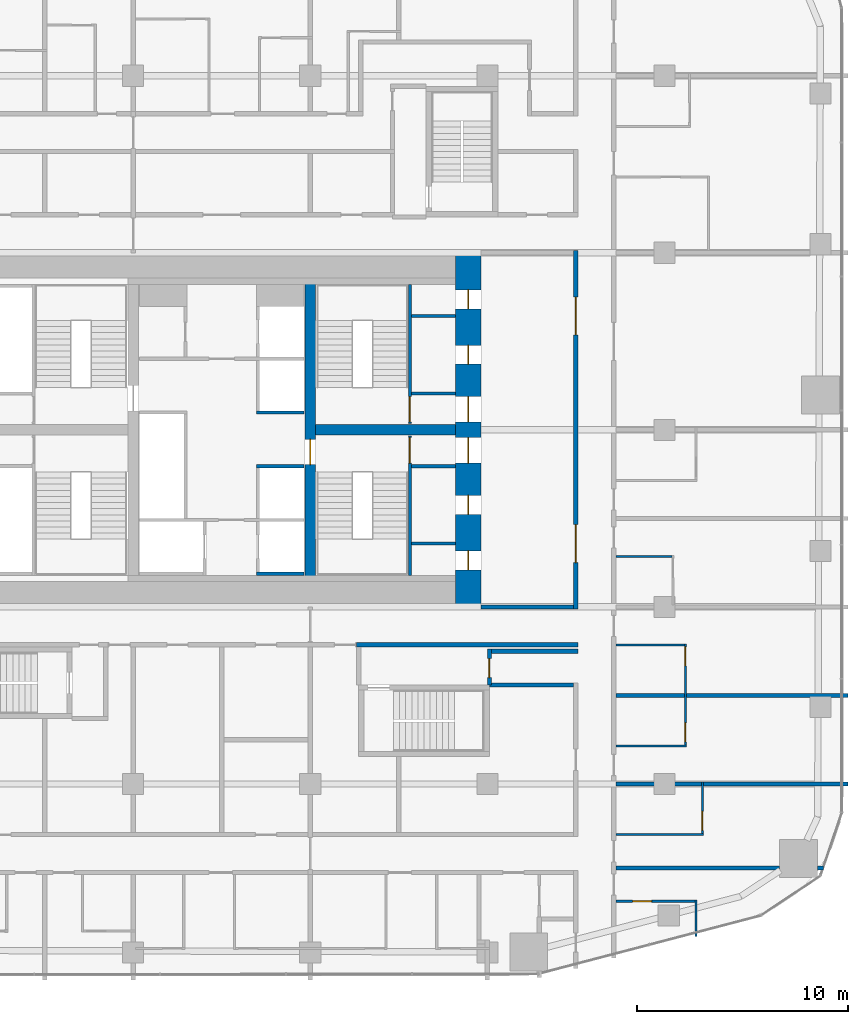
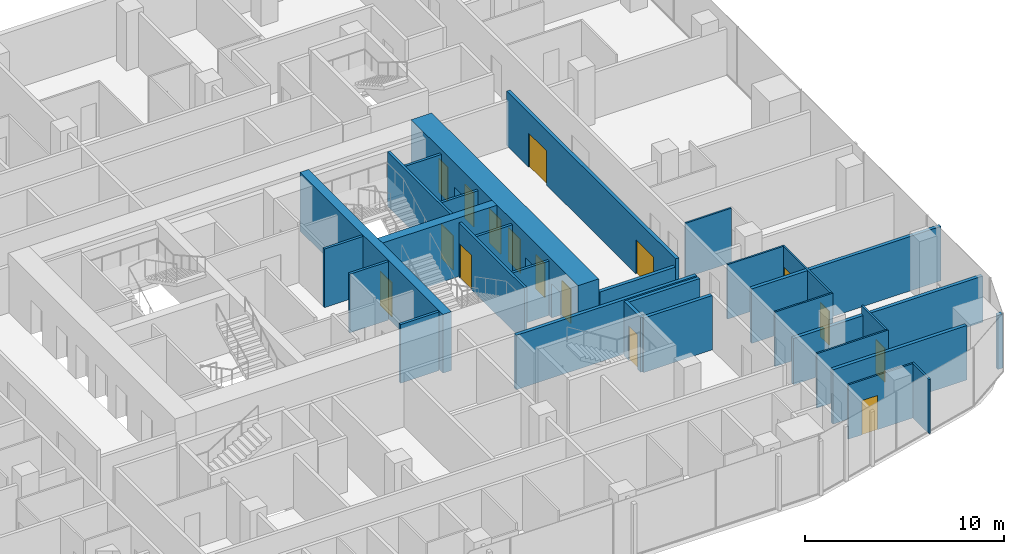
# One storey, part 20 of 26: 30 walls, 16 doors, 16 openings.
"""IFC4 building model written with IfcOpenShell, lengths in metres."""

from ifc_helpers import new_model, si_unit, direction, frame, frame_2d, origin, place, context, subcontext, project, spatial, rectangle, extrude, material, layer, layer_set, type_object, element, fill, save


model = new_model("IFC4")

# Units and contexts
model_context = context("Model", 3, precision=1e-05, world=origin(), true_north=direction((0.0, 1.0)))
body_context = subcontext(model_context, "Body", "Model", "MODEL_VIEW")
ifc_project = project(units=[si_unit("LENGTHUNIT", "METRE"), si_unit("AREAUNIT", "SQUARE_METRE"), si_unit("VOLUMEUNIT", "CUBIC_METRE"), si_unit("PLANEANGLEUNIT", "RADIAN"), si_unit("MASSUNIT", "GRAM", prefix="KILO")], contexts=[model_context])

# Site, building, storey
site_placement = place(None, origin())
site = spatial("IfcSite", under=ifc_project, at=site_placement, CompositionType="ELEMENT")
building_placement = place(site_placement, origin())
building = spatial("IfcBuilding", under=site, at=building_placement, Name="Marenta Gate Hotel Tower", CompositionType="ELEMENT")
storey_placement = place(building_placement, frame((0.0, 0.0, 58.10009765625)))
storey = spatial("IfcBuildingStorey", under=building, at=storey_placement, Name="L12", CompositionType="ELEMENT", Elevation=58.10009765625)

# Wall, openings, doors
ifc_material_1 = material(Name="Concrete blockwork", Category="masonry")
ifc_layer_1 = layer(ifc_material_1, 0.199951171875)
ifc_layer_set_1 = layer_set([ifc_layer_1], Name="Concrete blockwork")
wall_type_1 = type_object("IfcWallType", Name="Core boundary wall 200 REI 180", PredefinedType="PARTITIONING", material=ifc_layer_set_1)
wall_1_placement = place(storey_placement, frame((16.800048828125, -0.10009765625, 0.0), z_axis=(0.0, 0.0, 1.0), x_axis=(0.0, 1.0, 0.0)))
wall_1 = element("IfcWall", 1, at=wall_1_placement, inside=storey, type_object=wall_type_1, Name="L12-CP-BW-E", PredefinedType="PARTITIONING", context=body_context, shape_type="SweptSolid", body=[
    extrude(rectangle(XDim=17.0, YDim=0.199951171875, at=frame_2d((8.5, 0.0))), origin(), (0.0, 0.0, 1.0), 3.33984375),
])
opening_1_placement = place(wall_1_placement, frame((2.199951171875, 0.0, 0.0)))
opening_1 = element("IfcOpeningElement", 2, at=opening_1_placement, cuts=wall_1, Name="Opening ED-Ea-B", PredefinedType="OPENING", context=body_context, shape_type="SweptSolid", body=[
    extrude(rectangle(XDim=1.800048828125, YDim=2.10009765625, at=frame_2d((0.89990234375, 1.050048828125))), frame((0.0, 0.10009765625, 0.0), z_axis=(0.0, -1.0, 0.0), x_axis=(1.0, 0.0, 0.0)), (0.0, 0.0, 1.0), 0.199951171875),
])
opening_2_placement = place(wall_1_placement, frame((13.0, 0.0, 0.0)))
opening_2 = element("IfcOpeningElement", 3, at=opening_2_placement, cuts=wall_1, Name="Opening ED-Eb-B", PredefinedType="OPENING", context=body_context, shape_type="SweptSolid", body=[
    extrude(rectangle(XDim=1.800048828125, YDim=2.10009765625, at=frame_2d((0.89990234375, 1.050048828125))), frame((0.0, 0.10009765625, 0.0), z_axis=(0.0, -1.0, 0.0), x_axis=(1.0, 0.0, 0.0)), (0.0, 0.0, 1.0), 0.199951171875),
])
ifc_material_2 = material(Name="Steel", Category="steel")
door_type_1 = type_object("IfcDoorType", Name="Core lobby entrance door 1800x2100 EI 60", OperationType="DOUBLE_DOOR_SINGLE_SWING", PredefinedType="DOOR", material=ifc_material_2)
door_1_placement = place(opening_1_placement, origin())
door_1 = element("IfcDoor", 4, at=door_1_placement, inside=storey, type_object=door_type_1, Name="ED-Ea-B", OperationType="DOUBLE_DOOR_SINGLE_SWING", OverallHeight=2.10009765625, OverallWidth=1.800048828125, PredefinedType="DOOR", context=body_context, shape_type="SweptSolid", body=[
    extrude(rectangle(XDim=1.800048828125, YDim=2.10009765625, at=frame_2d((0.89990234375, 1.050048828125))), frame((0.0, 0.02490234375, 0.0), z_axis=(0.0, -1.0, 0.0), x_axis=(1.0, 0.0, 0.0)), (0.0, 0.0, 1.0), 0.050048828125),
])
fill(opening_1, door_1)
door_2_placement = place(opening_2_placement, origin())
door_2 = element("IfcDoor", 5, at=door_2_placement, inside=storey, type_object=door_type_1, Name="ED-Eb-B", OperationType="DOUBLE_DOOR_SINGLE_SWING", OverallHeight=2.10009765625, OverallWidth=1.800048828125, PredefinedType="DOOR", context=body_context, shape_type="SweptSolid", body=[
    extrude(rectangle(XDim=1.800048828125, YDim=2.10009765625, at=frame_2d((0.89990234375, 1.050048828125))), frame((0.0, 0.02490234375, 0.0), z_axis=(0.0, -1.0, 0.0), x_axis=(1.0, 0.0, 0.0)), (0.0, 0.0, 1.0), 0.050048828125),
])
fill(opening_2, door_2)

# Walls
wall_2_placement = place(storey_placement, frame((12.300048828125, 0.0, 0.0), z_axis=(0.0, 0.0, 1.0), x_axis=(1.0, 0.0, 0.0)))
element("IfcWall", 6, at=wall_2_placement, inside=storey, type_object=wall_type_1, Name="L12-CP-EW-ES", PredefinedType="PARTITIONING", context=body_context, shape_type="SweptSolid", body=[
    extrude(rectangle(XDim=4.39990234375, YDim=0.199951171875, at=frame_2d((2.199951171875, 0.0))), origin(), (0.0, 0.0, 1.0), 2.83984375),
])
ifc_material_3 = material(Name="Concrete blockwork", Category="masonry")
ifc_layer_2 = layer(ifc_material_3, 0.14990234375)
ifc_layer_set_2 = layer_set([ifc_layer_2], Name="Concrete blockwork")
wall_type_2 = type_object("IfcWallType", Name="Core room partition 150 REI 180", PredefinedType="PARTITIONING", material=ifc_layer_set_2)
for number, where, z_axis, x_axis, name in (
    (7, (9.0, 6.675048828125, 0.0), (0.0, 0.0, 1.0), (1.0, 0.0, 0.0), "L12-CP-SW-ES-2"),
    (8, (9.0, 3.0, 0.0), (0.0, 0.0, 1.0), (1.0, 0.0, 0.0), "L12-CP-RW-ES-1"),
    (9, (9.0, 10.125, 0.0), (0.0, 0.0, 1.0), (1.0, 0.0, 0.0), "L12-CP-SW-EN-2"),
    (10, (9.0, 13.800048828125, 0.0), (0.0, 0.0, 1.0), (1.0, 0.0, 0.0), "L12-CP-RW-EN-1"),
):
    element("IfcWall", number, at=place(storey_placement, frame(where, z_axis=z_axis, x_axis=x_axis)), inside=storey, type_object=wall_type_2, Name=name, PredefinedType="PARTITIONING", context=body_context, shape_type="SweptSolid", body=[
        extrude(rectangle(XDim=2.10009765625, YDim=0.14990234375, at=frame_2d((1.050048828125, 0.0))), origin(), (0.0, 0.0, 1.0), 3.33984375),
    ])
ifc_material_4 = material(Name="Concrete C40", Category="concrete")
ifc_layer_3 = layer(ifc_material_4, 0.14990234375)
ifc_layer_set_3 = layer_set([ifc_layer_3], Name="Concrete C40")
wall_type_3 = type_object("IfcWallType", Name="Core shaft wall 150 REI 180", PredefinedType="SHEAR", material=ifc_layer_set_3)
for number, where, z_axis, x_axis, name in (
    (11, (1.64990234375, 1.574951171875, 0.0), (0.0, 0.0, 1.0), (1.0, 0.0, 0.0), "L12-SHF-CE-S-bot"),
    (12, (1.64990234375, 6.675048828125, 0.0), (0.0, 0.0, 1.0), (1.0, 0.0, 0.0), "L12-SHF-CE-sep1"),
    (13, (1.64990234375, 9.22509765625, 0.0), (0.0, 0.0, 1.0), (1.0, 0.0, 0.0), "L12-SHF-CE-sep2"),
):
    element("IfcWall", number, at=place(storey_placement, frame(where, z_axis=z_axis, x_axis=x_axis)), inside=storey, type_object=wall_type_3, Name=name, PredefinedType="SHEAR", context=body_context, shape_type="SweptSolid", body=[
        extrude(rectangle(XDim=2.25, YDim=0.14990234375, at=frame_2d((1.125, 0.0))), origin(), (0.0, 0.0, 1.0), 3.599853515625),
    ])

# Wall, opening, door
ifc_material_5 = material(Name="Concrete C40", Category="concrete")
ifc_layer_4 = layer(ifc_material_5, 0.14990234375)
ifc_layer_set_4 = layer_set([ifc_layer_4], Name="Concrete C40")
wall_type_4 = type_object("IfcWallType", Name="Core stair enclosure wall 150 REI 180", PredefinedType="SHEAR", material=ifc_layer_set_4)
wall_3_placement = place(storey_placement, frame((8.925048828125, 1.5, 0.0), z_axis=(0.0, 0.0, 1.0), x_axis=(0.0, 1.0, 0.0)))
wall_3 = element("IfcWall", 14, at=wall_3_placement, inside=storey, type_object=wall_type_4, Name="L12-SHF-SW-ES-3", PredefinedType="SHEAR", context=body_context, shape_type="SweptSolid", body=[
    extrude(rectangle(XDim=6.60009765625, YDim=0.14990234375, at=frame_2d((3.300048828125, 0.0))), origin(), (0.0, 0.0, 1.0), 3.33984375),
])
opening_3_placement = place(wall_3_placement, frame((5.324951171875, 0.0, 0.0)))
opening_3 = element("IfcOpeningElement", 15, at=opening_3_placement, cuts=wall_3, Name="Opening SD-ES", PredefinedType="OPENING", context=body_context, shape_type="SweptSolid", body=[
    extrude(rectangle(XDim=1.199951171875, YDim=2.10009765625, at=frame_2d((0.60009765625, 1.050048828125))), frame((0.0, 0.074951171875, 0.0), z_axis=(0.0, -1.0, 0.0), x_axis=(1.0, 0.0, 0.0)), (0.0, 0.0, 1.0), 0.14990234375),
])
ifc_material_6 = material(Name="Steel", Category="steel")
door_type_2 = type_object("IfcDoorType", Name="Core stair door 1200x2100 FD60", OperationType="SINGLE_SWING_LEFT", PredefinedType="DOOR", material=ifc_material_6)
door_3_placement = place(opening_3_placement, origin())
door_3 = element("IfcDoor", 16, at=door_3_placement, inside=storey, type_object=door_type_2, Name="SD-ES", OperationType="SINGLE_SWING_LEFT", OverallHeight=2.10009765625, OverallWidth=1.199951171875, PredefinedType="DOOR", context=body_context, shape_type="SweptSolid", body=[
    extrude(rectangle(XDim=1.199951171875, YDim=2.10009765625, at=frame_2d((0.60009765625, 1.050048828125))), frame((0.0, 0.02490234375, 0.0), z_axis=(0.0, -1.0, 0.0), x_axis=(1.0, 0.0, 0.0)), (0.0, 0.0, 1.0), 0.050048828125),
])
fill(opening_3, door_3)

wall_4_placement = place(storey_placement, frame((8.925048828125, 8.699951171875, 0.0), z_axis=(0.0, 0.0, 1.0), x_axis=(0.0, 1.0, 0.0)))
wall_4 = element("IfcWall", 17, at=wall_4_placement, inside=storey, type_object=wall_type_4, Name="L12-SHF-SW-EN-3", PredefinedType="SHEAR", context=body_context, shape_type="SweptSolid", body=[
    extrude(rectangle(XDim=6.60009765625, YDim=0.14990234375, at=frame_2d((3.300048828125, 0.0))), origin(), (0.0, 0.0, 1.0), 3.33984375),
])
opening_4_placement = place(wall_4_placement, frame((0.074951171875, 0.0, 0.0)))
opening_4 = element("IfcOpeningElement", 18, at=opening_4_placement, cuts=wall_4, Name="Opening SD-EN", PredefinedType="OPENING", context=body_context, shape_type="SweptSolid", body=[
    extrude(rectangle(XDim=1.199951171875, YDim=2.10009765625, at=frame_2d((0.60009765625, 1.050048828125))), frame((0.0, 0.074951171875, 0.0), z_axis=(0.0, -1.0, 0.0), x_axis=(1.0, 0.0, 0.0)), (0.0, 0.0, 1.0), 0.14990234375),
])
door_4_placement = place(opening_4_placement, origin())
door_4 = element("IfcDoor", 19, at=door_4_placement, inside=storey, type_object=door_type_2, Name="SD-EN", OperationType="SINGLE_SWING_LEFT", OverallHeight=2.10009765625, OverallWidth=1.199951171875, PredefinedType="DOOR", context=body_context, shape_type="SweptSolid", body=[
    extrude(rectangle(XDim=1.199951171875, YDim=2.10009765625, at=frame_2d((0.60009765625, 1.050048828125))), frame((0.0, 0.02490234375, 0.0), z_axis=(0.0, -1.0, 0.0), x_axis=(1.0, 0.0, 0.0)), (0.0, 0.0, 1.0), 0.050048828125),
])
fill(opening_4, door_4)

# Wall, openings, doors
ifc_material_7 = material(Name="Concrete C80", Category="concrete")
ifc_layer_5 = layer(ifc_material_7, 1.199951171875)
ifc_layer_set_5 = layer_set([ifc_layer_5], Name="Concrete C80")
wall_type_5 = type_object("IfcWallType", Name="Core wall 1200 C80", PredefinedType="SHEAR", material=ifc_layer_set_5)
wall_5_placement = place(storey_placement, frame((11.699951171875, 0.0, 0.0), z_axis=(0.0, 0.0, 1.0), x_axis=(0.0, 1.0, 0.0)))
wall_5 = element("IfcWall", 20, at=wall_5_placement, inside=storey, type_object=wall_type_5, Name="L12-CORE-E", PredefinedType="SHEAR", context=body_context, shape_type="SweptSolid", body=[
    extrude(rectangle(XDim=16.800048828125, YDim=1.199951171875, at=frame_2d((8.39990234375, 0.0))), origin(), (0.0, 0.0, 1.0), 3.599853515625),
])
opening_5_placement = place(wall_5_placement, frame((1.762451171875, 0.0, 0.0)))
opening_5 = element("IfcOpeningElement", 21, at=opening_5_placement, cuts=wall_5, Name="Opening RD-ES-1", PredefinedType="OPENING", context=body_context, shape_type="SweptSolid", body=[
    extrude(rectangle(XDim=0.89990234375, YDim=2.10009765625, at=frame_2d((0.449951171875, 1.050048828125))), frame((0.0, 0.60009765625, 0.0), z_axis=(0.0, -1.0, 0.0), x_axis=(1.0, 0.0, 0.0)), (0.0, 0.0, 1.0), 1.199951171875),
])
opening_6_placement = place(wall_5_placement, frame((4.387451171875, 0.0, 0.0)))
opening_6 = element("IfcOpeningElement", 22, at=opening_6_placement, cuts=wall_5, Name="Opening RD-ES-2", PredefinedType="OPENING", context=body_context, shape_type="SweptSolid", body=[
    extrude(rectangle(XDim=0.89990234375, YDim=2.10009765625, at=frame_2d((0.449951171875, 1.050048828125))), frame((0.0, 0.60009765625, 0.0), z_axis=(0.0, -1.0, 0.0), x_axis=(1.0, 0.0, 0.0)), (0.0, 0.0, 1.0), 1.199951171875),
])
opening_7_placement = place(wall_5_placement, frame((6.824951171875, 0.0, 0.0)))
opening_7 = element("IfcOpeningElement", 23, at=opening_7_placement, cuts=wall_5, Name="Opening PD-ES", PredefinedType="OPENING", context=body_context, shape_type="SweptSolid", body=[
    extrude(rectangle(XDim=1.199951171875, YDim=2.10009765625, at=frame_2d((0.60009765625, 1.050048828125))), frame((0.0, 0.60009765625, 0.0), z_axis=(0.0, -1.0, 0.0), x_axis=(1.0, 0.0, 0.0)), (0.0, 0.0, 1.0), 1.199951171875),
])
opening_8_placement = place(wall_5_placement, frame((14.137451171875, 0.0, 0.0)))
opening_8 = element("IfcOpeningElement", 24, at=opening_8_placement, cuts=wall_5, Name="Opening RD-EN-1", PredefinedType="OPENING", context=body_context, shape_type="SweptSolid", body=[
    extrude(rectangle(XDim=0.89990234375, YDim=2.10009765625, at=frame_2d((0.449951171875, 1.050048828125))), frame((0.0, 0.60009765625, 0.0), z_axis=(0.0, -1.0, 0.0), x_axis=(1.0, 0.0, 0.0)), (0.0, 0.0, 1.0), 1.199951171875),
])
opening_9_placement = place(wall_5_placement, frame((11.512451171875, 0.0, 0.0)))
opening_9 = element("IfcOpeningElement", 25, at=opening_9_placement, cuts=wall_5, Name="Opening RD-EN-2", PredefinedType="OPENING", context=body_context, shape_type="SweptSolid", body=[
    extrude(rectangle(XDim=0.89990234375, YDim=2.10009765625, at=frame_2d((0.449951171875, 1.050048828125))), frame((0.0, 0.60009765625, 0.0), z_axis=(0.0, -1.0, 0.0), x_axis=(1.0, 0.0, 0.0)), (0.0, 0.0, 1.0), 1.199951171875),
])
opening_10_placement = place(wall_5_placement, frame((8.77490234375, 0.0, 0.0)))
opening_10 = element("IfcOpeningElement", 26, at=opening_10_placement, cuts=wall_5, Name="Opening PD-EN", PredefinedType="OPENING", context=body_context, shape_type="SweptSolid", body=[
    extrude(rectangle(XDim=1.199951171875, YDim=2.10009765625, at=frame_2d((0.60009765625, 1.050048828125))), frame((0.0, 0.60009765625, 0.0), z_axis=(0.0, -1.0, 0.0), x_axis=(1.0, 0.0, 0.0)), (0.0, 0.0, 1.0), 1.199951171875),
])
ifc_material_8 = material(Name="Steel", Category="steel")
door_type_3 = type_object("IfcDoorType", Name="Core lobby door 1200x2100 FD60", OperationType="SINGLE_SWING_LEFT", PredefinedType="DOOR", material=ifc_material_8)
door_5_placement = place(opening_7_placement, origin())
door_5 = element("IfcDoor", 27, at=door_5_placement, inside=storey, type_object=door_type_3, Name="PD-ES", OperationType="SINGLE_SWING_LEFT", OverallHeight=2.10009765625, OverallWidth=1.199951171875, PredefinedType="DOOR", context=body_context, shape_type="SweptSolid", body=[
    extrude(rectangle(XDim=1.199951171875, YDim=2.10009765625, at=frame_2d((0.60009765625, 1.050048828125))), frame((0.0, 0.02490234375, 0.0), z_axis=(0.0, -1.0, 0.0), x_axis=(1.0, 0.0, 0.0)), (0.0, 0.0, 1.0), 0.050048828125),
])
fill(opening_7, door_5)
door_6_placement = place(opening_10_placement, origin())
door_6 = element("IfcDoor", 28, at=door_6_placement, inside=storey, type_object=door_type_3, Name="PD-EN", OperationType="SINGLE_SWING_LEFT", OverallHeight=2.10009765625, OverallWidth=1.199951171875, PredefinedType="DOOR", context=body_context, shape_type="SweptSolid", body=[
    extrude(rectangle(XDim=1.199951171875, YDim=2.10009765625, at=frame_2d((0.60009765625, 1.050048828125))), frame((0.0, 0.02490234375, 0.0), z_axis=(0.0, -1.0, 0.0), x_axis=(1.0, 0.0, 0.0)), (0.0, 0.0, 1.0), 0.050048828125),
])
fill(opening_10, door_6)
ifc_material_9 = material(Name="Steel", Category="steel")
door_type_4 = type_object("IfcDoorType", Name="Core service room door 900x2100 FD30S", OperationType="SINGLE_SWING_LEFT", PredefinedType="DOOR", material=ifc_material_9)
door_7_placement = place(opening_5_placement, origin())
door_7 = element("IfcDoor", 29, at=door_7_placement, inside=storey, type_object=door_type_4, Name="RD-ES-1", OperationType="SINGLE_SWING_LEFT", OverallHeight=2.10009765625, OverallWidth=0.89990234375, PredefinedType="DOOR", context=body_context, shape_type="SweptSolid", body=[
    extrude(rectangle(XDim=0.89990234375, YDim=2.10009765625, at=frame_2d((0.449951171875, 1.050048828125))), frame((0.0, 0.02490234375, 0.0), z_axis=(0.0, -1.0, 0.0), x_axis=(1.0, 0.0, 0.0)), (0.0, 0.0, 1.0), 0.050048828125),
])
fill(opening_5, door_7)
door_8_placement = place(opening_6_placement, origin())
door_8 = element("IfcDoor", 30, at=door_8_placement, inside=storey, type_object=door_type_4, Name="RD-ES-2", OperationType="SINGLE_SWING_LEFT", OverallHeight=2.10009765625, OverallWidth=0.89990234375, PredefinedType="DOOR", context=body_context, shape_type="SweptSolid", body=[
    extrude(rectangle(XDim=0.89990234375, YDim=2.10009765625, at=frame_2d((0.449951171875, 1.050048828125))), frame((0.0, 0.02490234375, 0.0), z_axis=(0.0, -1.0, 0.0), x_axis=(1.0, 0.0, 0.0)), (0.0, 0.0, 1.0), 0.050048828125),
])
fill(opening_6, door_8)
door_9_placement = place(opening_8_placement, origin())
door_9 = element("IfcDoor", 31, at=door_9_placement, inside=storey, type_object=door_type_4, Name="RD-EN-1", OperationType="SINGLE_SWING_LEFT", OverallHeight=2.10009765625, OverallWidth=0.89990234375, PredefinedType="DOOR", context=body_context, shape_type="SweptSolid", body=[
    extrude(rectangle(XDim=0.89990234375, YDim=2.10009765625, at=frame_2d((0.449951171875, 1.050048828125))), frame((0.0, 0.02490234375, 0.0), z_axis=(0.0, -1.0, 0.0), x_axis=(1.0, 0.0, 0.0)), (0.0, 0.0, 1.0), 0.050048828125),
])
fill(opening_8, door_9)
door_10_placement = place(opening_9_placement, origin())
door_10 = element("IfcDoor", 32, at=door_10_placement, inside=storey, type_object=door_type_4, Name="RD-EN-2", OperationType="SINGLE_SWING_LEFT", OverallHeight=2.10009765625, OverallWidth=0.89990234375, PredefinedType="DOOR", context=body_context, shape_type="SweptSolid", body=[
    extrude(rectangle(XDim=0.89990234375, YDim=2.10009765625, at=frame_2d((0.449951171875, 1.050048828125))), frame((0.0, 0.02490234375, 0.0), z_axis=(0.0, -1.0, 0.0), x_axis=(1.0, 0.0, 0.0)), (0.0, 0.0, 1.0), 0.050048828125),
])
fill(opening_9, door_10)

# Wall, opening, door
ifc_material_10 = material(Name="Concrete C80", Category="concrete")
ifc_layer_6 = layer(ifc_material_10, 0.5)
ifc_layer_set_6 = layer_set([ifc_layer_6], Name="Concrete C80")
wall_type_6 = type_object("IfcWallType", Name="Core web 500 C80", PredefinedType="SHEAR", material=ifc_layer_set_6)
wall_6_placement = place(storey_placement, frame((4.199951171875, 1.199951171875, 0.0), z_axis=(0.0, 0.0, 1.0), x_axis=(0.0, 1.0, 0.0)))
wall_6 = element("IfcWall", 33, at=wall_6_placement, inside=storey, type_object=wall_type_6, Name="L12-CORE-W2", PredefinedType="SHEAR", context=body_context, shape_type="SweptSolid", body=[
    extrude(rectangle(XDim=14.400146484375, YDim=0.5, at=frame_2d((7.2001953125, 0.0))), origin(), (0.0, 0.0, 1.0), 3.599853515625),
])
opening_11_placement = place(wall_6_placement, frame((5.550048828125, 0.0, 0.0)))
opening_11 = element("IfcOpeningElement", 34, at=opening_11_placement, cuts=wall_6, Name="Opening WD-E", PredefinedType="OPENING", context=body_context, shape_type="SweptSolid", body=[
    extrude(rectangle(XDim=1.199951171875, YDim=2.10009765625, at=frame_2d((0.60009765625, 1.050048828125))), frame((0.0, 0.25, 0.0), z_axis=(0.0, -1.0, 0.0), x_axis=(1.0, 0.0, 0.0)), (0.0, 0.0, 1.0), 0.5),
])
door_11_placement = place(opening_11_placement, origin())
door_11 = element("IfcDoor", 35, at=door_11_placement, inside=storey, type_object=door_type_2, Name="WD-E", OperationType="SINGLE_SWING_LEFT", OverallHeight=2.10009765625, OverallWidth=1.199951171875, PredefinedType="DOOR", context=body_context, shape_type="SweptSolid", body=[
    extrude(rectangle(XDim=1.199951171875, YDim=2.10009765625, at=frame_2d((0.60009765625, 1.050048828125))), frame((0.0, 0.02490234375, 0.0), z_axis=(0.0, -1.0, 0.0), x_axis=(1.0, 0.0, 0.0)), (0.0, 0.0, 1.0), 0.050048828125),
])
fill(opening_11, door_11)

# Walls
wall_7_placement = place(storey_placement, frame((4.449951171875, 8.39990234375, 0.0), z_axis=(0.0, 0.0, 1.0), x_axis=(1.0, 0.0, 0.0)))
element("IfcWall", 36, at=wall_7_placement, inside=storey, type_object=wall_type_6, Name="L12-CORE-W4", PredefinedType="SHEAR", context=body_context, shape_type="SweptSolid", body=[
    extrude(rectangle(XDim=6.650146484375, YDim=0.5, at=frame_2d((3.3251953125, 0.0))), origin(), (0.0, 0.0, 1.0), 3.599853515625),
])
ifc_material_11 = material(Name="Gypsum board on steel stud", Category="steel")
ifc_layer_7 = layer(ifc_material_11, 0.199951171875)
ifc_layer_set_7 = layer_set([ifc_layer_7], Name="Gypsum board on steel stud")
wall_type_7 = type_object("IfcWallType", Name="Room corridor wall 200 EI 60", PredefinedType="PARTITIONING", material=ifc_layer_set_7)
wall_8_placement = place(storey_placement, frame((12.699951171875, -3.699951171875, 0.0), z_axis=(0.0, 0.0, 1.0), x_axis=(1.0, 0.0, 0.0)))
element("IfcWall", 37, at=wall_8_placement, inside=storey, type_object=wall_type_7, Name="L12-PTN-W058", PredefinedType="PARTITIONING", context=body_context, shape_type="SweptSolid", body=[
    extrude(rectangle(XDim=4.0, YDim=0.199951171875, at=frame_2d((2.0, 0.0))), origin(), (0.0, 0.0, 1.0), 3.33984375),
])

# Wall, opening, door
ifc_material_12 = material(Name="Concrete blockwork", Category="masonry")
ifc_layer_8 = layer(ifc_material_12, 0.199951171875)
ifc_layer_set_8 = layer_set([ifc_layer_8], Name="Concrete blockwork")
wall_type_8 = type_object("IfcWallType", Name="Room corridor wall 200 REI 180", PredefinedType="PARTITIONING", material=ifc_layer_set_8)
wall_9_placement = place(storey_placement, frame((12.699951171875, -3.699951171875, 0.0), z_axis=(0.0, 0.0, 1.0), x_axis=(0.0, 1.0, 0.0)))
wall_9 = element("IfcWall", 38, at=wall_9_placement, inside=storey, type_object=wall_type_8, Name="L12-PTN-W028", PredefinedType="PARTITIONING", context=body_context, shape_type="SweptSolid", body=[
    extrude(rectangle(XDim=1.699951171875, YDim=0.199951171875, at=frame_2d((0.85009765625, 0.0))), origin(), (0.0, 0.0, 1.0), 3.33984375),
])
opening_12_placement = place(wall_9_placement, frame((0.35009765625, 0.0, 0.0)))
opening_12 = element("IfcOpeningElement", 39, at=opening_12_placement, cuts=wall_9, Name="Opening G04-67", PredefinedType="OPENING", context=body_context, shape_type="SweptSolid", body=[
    extrude(rectangle(XDim=0.89990234375, YDim=2.10009765625, at=frame_2d((0.449951171875, 1.050048828125))), frame((0.0, 0.10009765625, 0.0), z_axis=(0.0, -1.0, 0.0), x_axis=(1.0, 0.0, 0.0)), (0.0, 0.0, 1.0), 0.199951171875),
])
ifc_material_13 = material(Name="Hollow steel door set", Category="steel")
door_type_5 = type_object("IfcDoorType", Name="Stair vestibule door 900x2100 EI 60", OperationType="NOTDEFINED", PredefinedType="DOOR", material=ifc_material_13)
door_12_placement = place(opening_12_placement, origin())
door_12 = element("IfcDoor", 40, at=door_12_placement, inside=storey, type_object=door_type_5, Name="L12-PD-D067", OperationType="SINGLE_SWING_RIGHT", OverallHeight=2.10009765625, OverallWidth=0.89990234375, PredefinedType="DOOR", context=body_context, shape_type="SweptSolid", body=[
    extrude(rectangle(XDim=0.89990234375, YDim=2.10009765625, at=frame_2d((0.449951171875, 1.050048828125))), frame((0.0, 0.02490234375, 0.0), z_axis=(0.0, -1.0, 0.0), x_axis=(1.0, 0.0, 0.0)), (0.0, 0.0, 1.0), 0.050048828125),
])
fill(opening_12, door_12)

# Walls
wall_10_placement = place(storey_placement, frame((12.800048828125, -2.10009765625, 0.0), z_axis=(0.0, 0.0, 1.0), x_axis=(1.0, 0.0, 0.0)))
element("IfcWall", 41, at=wall_10_placement, inside=storey, type_object=wall_type_8, Name="L12-PTN-W059", PredefinedType="PARTITIONING", context=body_context, shape_type="SweptSolid", body=[
    extrude(rectangle(XDim=4.099853515625, YDim=0.199951171875, at=frame_2d((2.0498046875, 0.0))), origin(), (0.0, 0.0, 1.0), 3.33984375),
])
wall_11_placement = place(storey_placement, frame((6.39990234375, -1.800048828125, 0.0), z_axis=(0.0, 0.0, 1.0), x_axis=(1.0, 0.0, 0.0)))
element("IfcWall", 42, at=wall_11_placement, inside=storey, type_object=wall_type_8, Name="L12-PTN-W066", PredefinedType="PARTITIONING", context=body_context, shape_type="SweptSolid", body=[
    extrude(rectangle(XDim=10.5, YDim=0.199951171875, at=frame_2d((5.25, 0.0))), origin(), (0.0, 0.0, 1.0), 3.33984375),
])

# Wall, opening, door
ifc_material_14 = material(Name="Gypsum board on steel stud", Category="steel")
ifc_layer_9 = layer(ifc_material_14, 0.10009765625)
ifc_layer_set_9 = layer_set([ifc_layer_9], Name="Gypsum board on steel stud")
wall_type_9 = type_object("IfcWallType", Name="Room partition 100", PredefinedType="PARTITIONING", material=ifc_layer_set_9)
wall_12_placement = place(storey_placement, frame((22.800048828125, -10.75, 0.0), z_axis=(0.0, 0.0, 1.0), x_axis=(0.0, 1.0, 0.0)))
wall_12 = element("IfcWall", 43, at=wall_12_placement, inside=storey, type_object=wall_type_9, Name="L12-PTN-W002", PredefinedType="PARTITIONING", context=body_context, shape_type="SweptSolid", body=[
    extrude(rectangle(XDim=2.449951171875, YDim=0.10009765625, at=frame_2d((1.22509765625, 0.0))), origin(), (0.0, 0.0, 1.0), 3.33984375),
])
opening_13_placement = place(wall_12_placement, frame((0.14990234375, 0.0, 0.0)))
opening_13 = element("IfcOpeningElement", 44, at=opening_13_placement, cuts=wall_12, Name="Opening G04-13", PredefinedType="OPENING", context=body_context, shape_type="SweptSolid", body=[
    extrude(rectangle(XDim=0.89990234375, YDim=2.10009765625, at=frame_2d((0.449951171875, 1.050048828125))), frame((0.0, 0.050048828125, 0.0), z_axis=(0.0, -1.0, 0.0), x_axis=(1.0, 0.0, 0.0)), (0.0, 0.0, 1.0), 0.10009765625),
])
ifc_material_15 = material(Name="Timber door leaf", Category="wood")
door_type_6 = type_object("IfcDoorType", Name="Guest bathroom door 900x2100", OperationType="NOTDEFINED", PredefinedType="DOOR", material=ifc_material_15)
door_13_placement = place(opening_13_placement, origin())
door_13 = element("IfcDoor", 45, at=door_13_placement, inside=storey, type_object=door_type_6, Name="L12-PD-D013", OperationType="SINGLE_SWING_LEFT", OverallHeight=2.10009765625, OverallWidth=0.89990234375, PredefinedType="DOOR", context=body_context, shape_type="SweptSolid", body=[
    extrude(rectangle(XDim=0.89990234375, YDim=2.10009765625, at=frame_2d((0.449951171875, 1.050048828125))), frame((0.0, 0.02490234375, 0.0), z_axis=(0.0, -1.0, 0.0), x_axis=(1.0, 0.0, 0.0)), (0.0, 0.0, 1.0), 0.050048828125),
])
fill(opening_13, door_13)

# Wall
wall_13_placement = place(storey_placement, frame((22.5, -15.631103515625, 0.0), z_axis=(0.0, 0.0, 1.0), x_axis=(0.0, 1.0, 0.0)))
element("IfcWall", 46, at=wall_13_placement, inside=storey, type_object=wall_type_9, Name="L12-PTN-W003", PredefinedType="PARTITIONING", context=body_context, shape_type="SweptSolid", body=[
    extrude(rectangle(XDim=1.716064453125, YDim=0.10009765625, at=frame_2d((0.85791015625, 0.0))), origin(), (0.0, 0.0, 1.0), 3.33984375),
])

# Wall, openings, doors
wall_14_placement = place(storey_placement, frame((22.0, -6.550048828125, 0.0), z_axis=(0.0, 0.0, 1.0), x_axis=(0.0, 1.0, 0.0)))
wall_14 = element("IfcWall", 47, at=wall_14_placement, inside=storey, type_object=wall_type_9, Name="L12-PTN-W007", PredefinedType="PARTITIONING", context=body_context, shape_type="SweptSolid", body=[
    extrude(rectangle(XDim=4.800048828125, YDim=0.10009765625, at=frame_2d((2.39990234375, 0.0))), origin(), (0.0, 0.0, 1.0), 3.33984375),
])
opening_14_placement = place(wall_14_placement, frame((0.14990234375, 0.0, 0.0)))
opening_14 = element("IfcOpeningElement", 48, at=opening_14_placement, cuts=wall_14, Name="Opening G04-15", PredefinedType="OPENING", context=body_context, shape_type="SweptSolid", body=[
    extrude(rectangle(XDim=0.89990234375, YDim=2.10009765625, at=frame_2d((0.449951171875, 1.050048828125))), frame((0.0, 0.050048828125, 0.0), z_axis=(0.0, -1.0, 0.0), x_axis=(1.0, 0.0, 0.0)), (0.0, 0.0, 1.0), 0.10009765625),
])
opening_15_placement = place(wall_14_placement, frame((3.75, 0.0, 0.0)))
opening_15 = element("IfcOpeningElement", 49, at=opening_15_placement, cuts=wall_14, Name="Opening G04-17", PredefinedType="OPENING", context=body_context, shape_type="SweptSolid", body=[
    extrude(rectangle(XDim=0.89990234375, YDim=2.10009765625, at=frame_2d((0.449951171875, 1.050048828125))), frame((0.0, 0.050048828125, 0.0), z_axis=(0.0, -1.0, 0.0), x_axis=(1.0, 0.0, 0.0)), (0.0, 0.0, 1.0), 0.10009765625),
])
door_14_placement = place(opening_14_placement, origin())
door_14 = element("IfcDoor", 50, at=door_14_placement, inside=storey, type_object=door_type_6, Name="L12-PD-D015", OperationType="SINGLE_SWING_LEFT", OverallHeight=2.10009765625, OverallWidth=0.89990234375, PredefinedType="DOOR", context=body_context, shape_type="SweptSolid", body=[
    extrude(rectangle(XDim=0.89990234375, YDim=2.10009765625, at=frame_2d((0.449951171875, 1.050048828125))), frame((0.0, 0.02490234375, 0.0), z_axis=(0.0, -1.0, 0.0), x_axis=(1.0, 0.0, 0.0)), (0.0, 0.0, 1.0), 0.050048828125),
])
fill(opening_14, door_14)
door_15_placement = place(opening_15_placement, origin())
door_15 = element("IfcDoor", 51, at=door_15_placement, inside=storey, type_object=door_type_6, Name="L12-PD-D017", OperationType="SINGLE_SWING_RIGHT", OverallHeight=2.10009765625, OverallWidth=0.89990234375, PredefinedType="DOOR", context=body_context, shape_type="SweptSolid", body=[
    extrude(rectangle(XDim=0.89990234375, YDim=2.10009765625, at=frame_2d((0.449951171875, 1.050048828125))), frame((0.0, 0.02490234375, 0.0), z_axis=(0.0, -1.0, 0.0), x_axis=(1.0, 0.0, 0.0)), (0.0, 0.0, 1.0), 0.050048828125),
])
fill(opening_15, door_15)

# Wall, opening, door
wall_15_placement = place(storey_placement, frame((18.699951171875, -13.965087890625, 0.0), z_axis=(0.0, 0.0, 1.0), x_axis=(1.0, 0.0, 0.0)))
wall_15 = element("IfcWall", 52, at=wall_15_placement, inside=storey, type_object=wall_type_9, Name="L12-PTN-W026", PredefinedType="PARTITIONING", context=body_context, shape_type="SweptSolid", body=[
    extrude(rectangle(XDim=3.75, YDim=0.10009765625, at=frame_2d((1.875, 0.0))), origin(), (0.0, 0.0, 1.0), 3.33984375),
])
opening_16_placement = place(wall_15_placement, frame((0.794921875, 0.0, 0.0)))
opening_16 = element("IfcOpeningElement", 53, at=opening_16_placement, cuts=wall_15, Name="Opening G04-11", PredefinedType="OPENING", context=body_context, shape_type="SweptSolid", body=[
    extrude(rectangle(XDim=0.89990234375, YDim=2.10009765625, at=frame_2d((0.449951171875, 1.050048828125))), frame((0.0, 0.050048828125, 0.0), z_axis=(0.0, -1.0, 0.0), x_axis=(1.0, 0.0, 0.0)), (0.0, 0.0, 1.0), 0.10009765625),
])
door_16_placement = place(opening_16_placement, origin())
door_16 = element("IfcDoor", 54, at=door_16_placement, inside=storey, type_object=door_type_6, Name="L12-PD-D011", OperationType="SINGLE_SWING_LEFT", OverallHeight=2.10009765625, OverallWidth=0.89990234375, PredefinedType="DOOR", context=body_context, shape_type="SweptSolid", body=[
    extrude(rectangle(XDim=0.89990234375, YDim=2.10009765625, at=frame_2d((0.449951171875, 1.050048828125))), frame((0.0, 0.02490234375, 0.0), z_axis=(0.0, -1.0, 0.0), x_axis=(1.0, 0.0, 0.0)), (0.0, 0.0, 1.0), 0.050048828125),
])
fill(opening_16, door_16)

# Walls
wall_16_placement = place(storey_placement, frame((18.699951171875, -10.800048828125, 0.0), z_axis=(0.0, 0.0, 1.0), x_axis=(1.0, 0.0, 0.0)))
element("IfcWall", 55, at=wall_16_placement, inside=storey, type_object=wall_type_9, Name="L12-PTN-W035", PredefinedType="PARTITIONING", context=body_context, shape_type="SweptSolid", body=[
    extrude(rectangle(XDim=4.150146484375, YDim=0.10009765625, at=frame_2d((2.0751953125, 0.0))), origin(), (0.0, 0.0, 1.0), 3.33984375),
])
wall_17_placement = place(storey_placement, frame((18.699951171875, -6.60009765625, 0.0), z_axis=(0.0, 0.0, 1.0), x_axis=(1.0, 0.0, 0.0)))
element("IfcWall", 56, at=wall_17_placement, inside=storey, type_object=wall_type_9, Name="L12-PTN-W046", PredefinedType="PARTITIONING", context=body_context, shape_type="SweptSolid", body=[
    extrude(rectangle(XDim=3.35009765625, YDim=0.10009765625, at=frame_2d((1.675048828125, 0.0))), origin(), (0.0, 0.0, 1.0), 3.33984375),
])
wall_18_placement = place(storey_placement, frame((18.699951171875, -1.800048828125, 0.0), z_axis=(0.0, 0.0, 1.0), x_axis=(1.0, 0.0, 0.0)))
element("IfcWall", 57, at=wall_18_placement, inside=storey, type_object=wall_type_9, Name="L12-PTN-W062", PredefinedType="PARTITIONING", context=body_context, shape_type="SweptSolid", body=[
    extrude(rectangle(XDim=3.25, YDim=0.10009765625, at=frame_2d((1.625, 0.0))), origin(), (0.0, 0.0, 1.0), 3.33984375),
])
wall_19_placement = place(storey_placement, frame((18.699951171875, 2.39990234375, 0.0), z_axis=(0.0, 0.0, 1.0), x_axis=(1.0, 0.0, 0.0)))
element("IfcWall", 58, at=wall_19_placement, inside=storey, type_object=wall_type_9, Name="L12-PTN-W074", PredefinedType="PARTITIONING", context=body_context, shape_type="SweptSolid", body=[
    extrude(rectangle(XDim=2.650146484375, YDim=0.10009765625, at=frame_2d((1.3251953125, 0.0))), origin(), (0.0, 0.0, 1.0), 3.33984375),
])
ifc_material_16 = material(Name="Gypsum board on steel stud", Category="steel")
ifc_layer_10 = layer(ifc_material_16, 0.199951171875)
ifc_layer_set_10 = layer_set([ifc_layer_10], Name="Gypsum board on steel stud")
wall_type_10 = type_object("IfcWallType", Name="Room party wall 200 EI 60", PredefinedType="PARTITIONING", material=ifc_layer_set_10)
wall_20_placement = place(storey_placement, frame((18.699951171875, -12.383056640625, 0.0), z_axis=(0.0, 0.0, 1.0), x_axis=(1.0, 0.0, 0.0)))
element("IfcWall", 59, at=wall_20_placement, inside=storey, type_object=wall_type_10, Name="L12-PTN-W032", PredefinedType="PARTITIONING", context=body_context, shape_type="SweptSolid", body=[
    extrude(rectangle(XDim=7.762939453125, YDim=0.199951171875, at=frame_2d((3.88134765625, 0.0))), origin(), (0.0, 0.0, 1.0), 3.33984375),
])
wall_21_placement = place(storey_placement, frame((28.262939453125, -12.383056640625, 0.0), z_axis=(0.0, 0.0, 1.0), x_axis=(1.0, 0.0, 0.0)))
element("IfcWall", 60, at=wall_21_placement, inside=storey, type_object=wall_type_10, Name="L12-PTN-W158", PredefinedType="PARTITIONING", context=body_context, shape_type="SweptSolid", body=[
    extrude(rectangle(XDim=0.2900390625, YDim=0.199951171875, at=frame_2d((0.14501953125, 0.0))), origin(), (0.0, 0.0, 1.0), 3.33984375),
])
wall_22_placement = place(storey_placement, frame((18.699951171875, -8.39990234375, 0.0), z_axis=(0.0, 0.0, 1.0), x_axis=(1.0, 0.0, 0.0)))
element("IfcWall", 61, at=wall_22_placement, inside=storey, type_object=wall_type_10, Name="L12-PTN-W040", PredefinedType="PARTITIONING", context=body_context, shape_type="SweptSolid", body=[
    extrude(rectangle(XDim=11.0, YDim=0.199951171875, at=frame_2d((5.5, 0.0))), origin(), (0.0, 0.0, 1.0), 2.83984375),
])
wall_23_placement = place(storey_placement, frame((18.699951171875, -4.199951171875, 0.0), z_axis=(0.0, 0.0, 1.0), x_axis=(1.0, 0.0, 0.0)))
element("IfcWall", 62, at=wall_23_placement, inside=storey, type_object=wall_type_10, Name="L12-PTN-W057", PredefinedType="PARTITIONING", context=body_context, shape_type="SweptSolid", body=[
    extrude(rectangle(XDim=11.0, YDim=0.199951171875, at=frame_2d((5.5, 0.0))), origin(), (0.0, 0.0, 1.0), 3.33984375),
])

save(model, "model.ifc")
